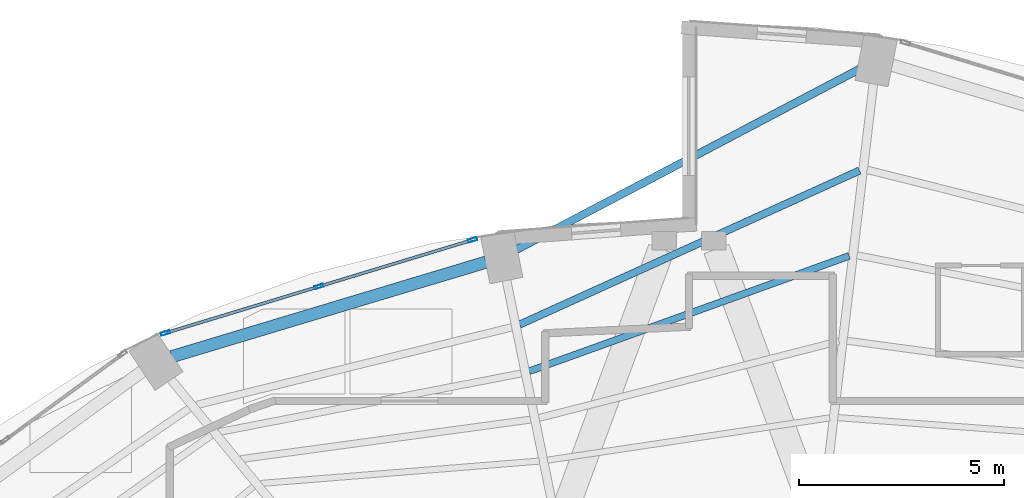
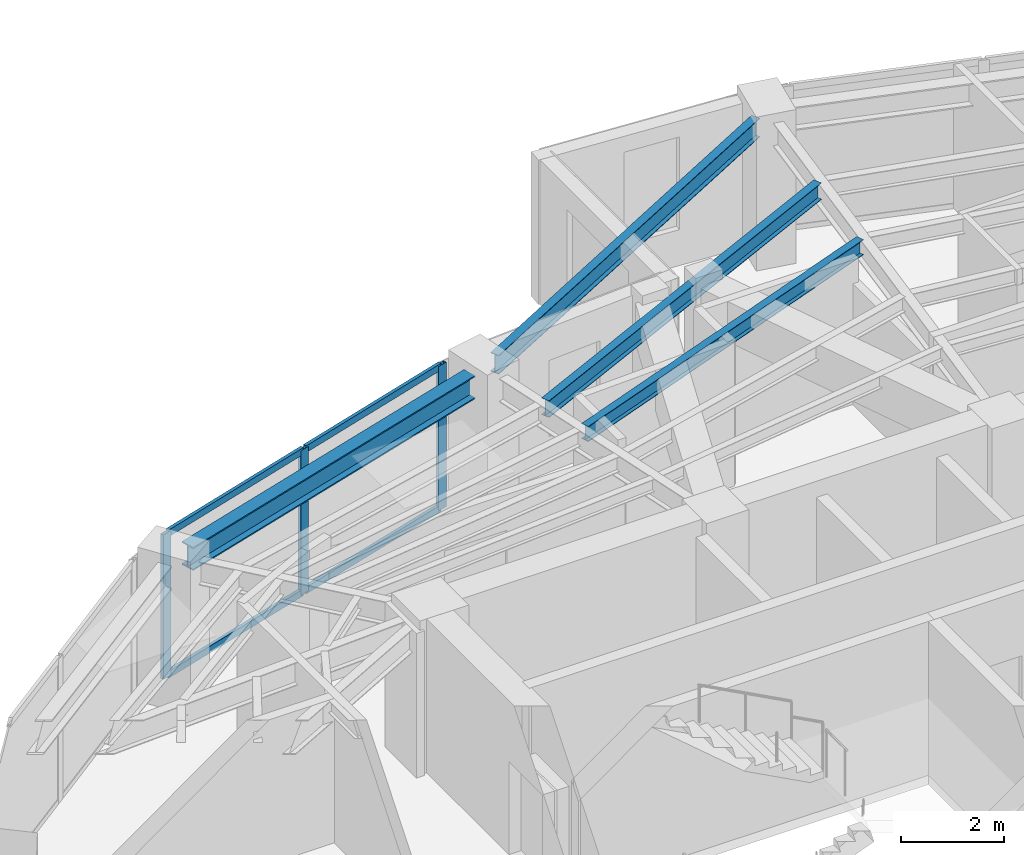
# One storey, part 12 of 19: 7 members, 4 beams, 1 element without a shape of its own.
"""IFC4 building model written with IfcOpenShell, lengths in metres."""

from ifc_helpers import new_model, si_unit, direction, frame, origin, origin_2d, place, context, subcontext, project, spatial, hollow_rectangle, i_section, extrude, material, layer, layer_set, material_profile, profile_set, type_object, element, aggregate, save


model = new_model("IFC4")

# Units and contexts
model_context = context("Model", 3, precision=1e-05, world=origin(), true_north=direction((0.0, 1.0)))
body_context = subcontext(model_context, "Body", "Model", "MODEL_VIEW")
ifc_project = project(units=[si_unit("LENGTHUNIT", "METRE"), si_unit("AREAUNIT", "SQUARE_METRE"), si_unit("VOLUMEUNIT", "CUBIC_METRE"), si_unit("PLANEANGLEUNIT", "RADIAN"), si_unit("MASSUNIT", "GRAM", prefix="KILO")], contexts=[model_context])

# Site, building, storey
site_placement = place(None, origin())
site = spatial("IfcSite", under=ifc_project, at=site_placement, CompositionType="ELEMENT")
building_placement = place(site_placement, origin())
building = spatial("IfcBuilding", under=site, at=building_placement, Name="Lazwardi Medical Tower", CompositionType="ELEMENT")
storey_placement = place(building_placement, frame((0.0, 0.0, 171.1201171875)))
storey = spatial("IfcBuildingStorey", under=building, at=storey_placement, Name="L44", CompositionType="ELEMENT", Elevation=171.1201171875)

# Beams
ifc_material_1 = material(Name="Steel S355", Category="steel")
ifc_material_profile_1 = material_profile(ifc_material_1, i_section(OverallWidth=0.300048828125, OverallDepth=0.550048828125, WebThickness=0.014892578125, FlangeThickness=0.029052734375, at=origin_2d()), Name="HEB 550")
ifc_profile_set_1 = profile_set([ifc_material_profile_1], Name="Steel S355")
beam_type_1 = type_object("IfcBeamType", Name="BM-RB-Z3", PredefinedType="BEAM", material=ifc_profile_set_1)
beam_1_placement = place(storey_placement, frame((31.056884765625, 42.133544921875, 3.15283203125), z_axis=(-0.957616873483, -0.288045002771, 0.0), x_axis=(0.288045002771, -0.957616873483, 0.0)))
element("IfcBeam", 1, at=beam_1_placement, inside=storey, type_object=beam_type_1, Name="Ring beam RB-04 B09 L44", PredefinedType="BEAM", context=body_context, shape_type="SweptSolid", body=[
    extrude(i_section(OverallWidth=0.300048828125, OverallDepth=0.550048828125, WebThickness=0.014892578125, FlangeThickness=0.029052734375, at=origin_2d()), origin(), (0.0, 0.0, 1.0), 7.99951171875),
])
ifc_material_profile_2 = material_profile(ifc_material_1, i_section(OverallWidth=0.179931640625, OverallDepth=0.39990234375, WebThickness=0.008544921875, FlangeThickness=0.013427734375, at=origin_2d()), Name="IPE 400")
ifc_profile_set_2 = profile_set([ifc_material_profile_2], Name="Steel S355")
beam_type_2 = type_object("IfcBeamType", Name="BM-SJ-01", PredefinedType="JOIST", material=ifc_profile_set_2)
beam_2_placement = place(storey_placement, frame((40.155029296875, 44.3642578125, 3.227783203125), z_axis=(-0.910834000674, -0.412772846995, 0.0), x_axis=(0.412772846995, -0.910834000674, 0.0)))
element("IfcBeam", 2, at=beam_2_placement, inside=storey, type_object=beam_type_2, Name="Secondary joist SJ-01 R1 B08 L44", PredefinedType="JOIST", context=body_context, shape_type="SweptSolid", body=[
    extrude(i_section(OverallWidth=0.179931640625, OverallDepth=0.39990234375, WebThickness=0.008544921875, FlangeThickness=0.013427734375, at=origin_2d()), origin(), (0.0, 0.0, 1.0), 9.09130859375),
])
ifc_material_profile_3 = material_profile(ifc_material_1, i_section(OverallWidth=0.169921875, OverallDepth=0.360107421875, WebThickness=0.008056640625, FlangeThickness=0.0126953125, at=origin_2d()), Name="IPE 360")
ifc_profile_set_3 = profile_set([ifc_material_profile_3], Name="Steel S355")
beam_type_3 = type_object("IfcBeamType", Name="BM-SJ-02", PredefinedType="JOIST", material=ifc_profile_set_3)
beam_3_placement = place(storey_placement, frame((39.904052734375, 42.284423828125, 3.247802734375), z_axis=(-0.940747993319, -0.339106492221, 0.0), x_axis=(0.339106492221, -0.940747993319, 0.0)))
element("IfcBeam", 3, at=beam_3_placement, inside=storey, type_object=beam_type_3, Name="Secondary joist SJ-02 R2 B08 L44", PredefinedType="JOIST", context=body_context, shape_type="SweptSolid", body=[
    extrude(i_section(OverallWidth=0.169921875, OverallDepth=0.360107421875, WebThickness=0.008056640625, FlangeThickness=0.0126953125, at=origin_2d()), origin(), (0.0, 0.0, 1.0), 8.28662109375),
])
ifc_material_profile_4 = material_profile(ifc_material_1, i_section(OverallWidth=0.18994140625, OverallDepth=0.449951171875, WebThickness=0.009521484375, FlangeThickness=0.0146484375, at=origin_2d()), Name="IPE 450")
ifc_profile_set_4 = profile_set([ifc_material_profile_4], Name="Steel S355")
beam_type_4 = type_object("IfcBeamType", Name="BM-SP-01", PredefinedType="SPANDREL", material=ifc_profile_set_4)
beam_4_placement = place(storey_placement, frame((40.206298828125, 46.862548828125, 3.202880859375), z_axis=(-0.884926578414, -0.465730556026, 0.0), x_axis=(0.465730556026, -0.884926578414, 0.0)))
element("IfcBeam", 4, at=beam_4_placement, inside=storey, type_object=beam_type_4, Name="Spandrel beam SP-01 B08 L44", PredefinedType="SPANDREL", context=body_context, shape_type="SweptSolid", body=[
    extrude(i_section(OverallWidth=0.18994140625, OverallDepth=0.449951171875, WebThickness=0.009521484375, FlangeThickness=0.0146484375, at=origin_2d()), origin(), (0.0, 0.0, 1.0), 9.506591796875),
])

# Curtain wall, members
ifc_material_2 = material(Name="Anodised bronze aluminium and solar control glazing", Category="aluminium")
ifc_layer = layer(ifc_material_2, 0.195068359375)
ifc_layer_set = layer_set([ifc_layer], Name="Anodised bronze aluminium and solar control glazing")
curtain_wall_type = type_object("IfcCurtainWallType", Name="CW-SYS-03", PredefinedType="NOTDEFINED", material=ifc_layer_set)
curtain_wall_placement = place(storey_placement, origin())
curtain_wall = element("IfcCurtainWall", 5, at=curtain_wall_placement, inside=storey, type_object=curtain_wall_type, Name="L44 Unitised bronze curtain wall CW-03", PredefinedType="NOTDEFINED")
ifc_material_3 = material(Name="Anodised bronze aluminium", Category="aluminium")
ifc_material_profile_5 = material_profile(ifc_material_3, hollow_rectangle(XDim=0.074951171875, YDim=0.219970703125, WallThickness=0.00390625, at=origin_2d()), Name="ALU-MULLION 220x75x4")
ifc_profile_set_5 = profile_set([ifc_material_profile_5], Name="Anodised bronze aluminium")
member_type_1 = type_object("IfcMemberType", Name="CW-MUL-01", PredefinedType="MULLION", material=ifc_profile_set_5)
member_1_placement = place(storey_placement, frame((30.72802734375, 42.674072265625, 0.0), z_axis=(0.0, 0.0, 1.0), x_axis=(0.290280785441, -0.956941516292, 0.0)))
member_1 = element("IfcMember", 6, at=member_1_placement, type_object=member_type_1, Name="CW-03 mullion 1", PredefinedType="MULLION", context=body_context, shape_type="SweptSolid", body=[
    extrude(hollow_rectangle(XDim=0.074951171875, YDim=0.219970703125, WallThickness=0.00390625, at=origin_2d()), origin(), (0.0, 0.0, 1.0), 3.427978515625),
])
member_2_placement = place(storey_placement, frame((26.98486328125, 41.538818359375, 0.0), z_axis=(0.0, 0.0, 1.0), x_axis=(0.290280785441, -0.956941516292, 0.0)))
member_2 = element("IfcMember", 7, at=member_2_placement, type_object=member_type_1, Name="CW-03 mullion 2", PredefinedType="MULLION", context=body_context, shape_type="SweptSolid", body=[
    extrude(hollow_rectangle(XDim=0.074951171875, YDim=0.219970703125, WallThickness=0.00390625, at=origin_2d()), origin(), (0.0, 0.0, 1.0), 3.427978515625),
])
member_3_placement = place(storey_placement, frame((23.241943359375, 40.4033203125, 0.0), z_axis=(0.0, 0.0, 1.0), x_axis=(0.290280785441, -0.956941516292, 0.0)))
member_3 = element("IfcMember", 8, at=member_3_placement, type_object=member_type_1, Name="CW-03 mullion 3", PredefinedType="MULLION", context=body_context, shape_type="SweptSolid", body=[
    extrude(hollow_rectangle(XDim=0.074951171875, YDim=0.219970703125, WallThickness=0.00390625, at=origin_2d()), origin(), (0.0, 0.0, 1.0), 3.427978515625),
])
ifc_material_profile_6 = material_profile(ifc_material_3, hollow_rectangle(XDim=0.074951171875, YDim=0.159912109375, WallThickness=0.00390625, at=origin_2d()), Name="ALU-TRANSOM 160x75x4")
ifc_profile_set_6 = profile_set([ifc_material_profile_6], Name="Anodised bronze aluminium")
member_type_2 = type_object("IfcMemberType", Name="CW-TRN-01", PredefinedType="USERDEFINED", material=ifc_profile_set_6)
member_4_placement = place(storey_placement, frame((30.692138671875, 42.663330078125, 0.037353515625), z_axis=(-0.956935517424, -0.290300560612, 0.0), x_axis=(0.290300560612, -0.956935517424, 0.0)))
member_4 = element("IfcMember", 9, at=member_4_placement, type_object=member_type_2, Name="CW-03 transom 1.1", ObjectType="TRANSOM", PredefinedType="USERDEFINED", context=body_context, shape_type="SweptSolid", body=[
    extrude(hollow_rectangle(XDim=0.074951171875, YDim=0.159912109375, WallThickness=0.00390625, at=origin_2d()), origin(), (0.0, 0.0, 1.0), 3.836669921875),
])
member_5_placement = place(storey_placement, frame((30.692138671875, 42.663330078125, 3.390380859375), z_axis=(-0.956935517424, -0.290300560612, 0.0), x_axis=(0.290300560612, -0.956935517424, 0.0)))
member_5 = element("IfcMember", 10, at=member_5_placement, type_object=member_type_2, Name="CW-03 transom 1.2", ObjectType="TRANSOM", PredefinedType="USERDEFINED", context=body_context, shape_type="SweptSolid", body=[
    extrude(hollow_rectangle(XDim=0.074951171875, YDim=0.159912109375, WallThickness=0.00390625, at=origin_2d()), origin(), (0.0, 0.0, 1.0), 3.836669921875),
])
member_6_placement = place(storey_placement, frame((26.948974609375, 41.52783203125, 0.037353515625), z_axis=(-0.956930154175, -0.290318239233, 0.0), x_axis=(0.290318239233, -0.956930154175, 0.0)))
member_6 = element("IfcMember", 11, at=member_6_placement, type_object=member_type_2, Name="CW-03 transom 2.1", ObjectType="TRANSOM", PredefinedType="USERDEFINED", context=body_context, shape_type="SweptSolid", body=[
    extrude(hollow_rectangle(XDim=0.074951171875, YDim=0.159912109375, WallThickness=0.00390625, at=origin_2d()), origin(), (0.0, 0.0, 1.0), 3.83642578125),
])
member_7_placement = place(storey_placement, frame((26.948974609375, 41.52783203125, 3.390380859375), z_axis=(-0.956930154175, -0.290318239233, 0.0), x_axis=(0.290318239233, -0.956930154175, 0.0)))
member_7 = element("IfcMember", 12, at=member_7_placement, type_object=member_type_2, Name="CW-03 transom 2.2", ObjectType="TRANSOM", PredefinedType="USERDEFINED", context=body_context, shape_type="SweptSolid", body=[
    extrude(hollow_rectangle(XDim=0.074951171875, YDim=0.159912109375, WallThickness=0.00390625, at=origin_2d()), origin(), (0.0, 0.0, 1.0), 3.83642578125),
])
aggregate(curtain_wall, [member_1, member_2, member_3, member_4, member_5, member_6, member_7])

save(model, "model.ifc")
